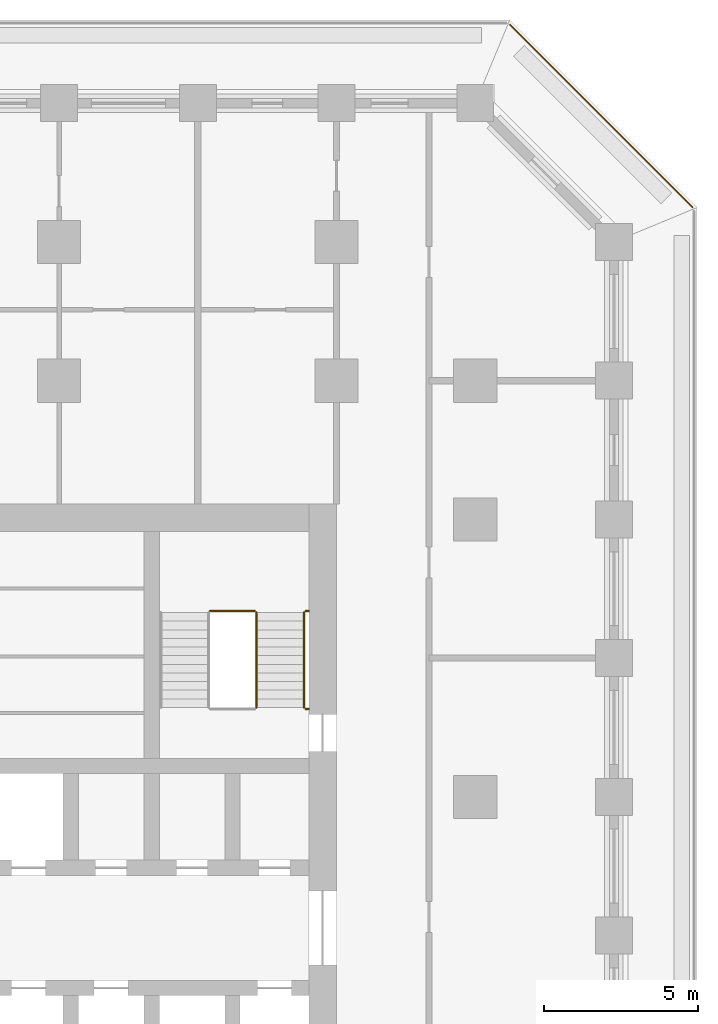
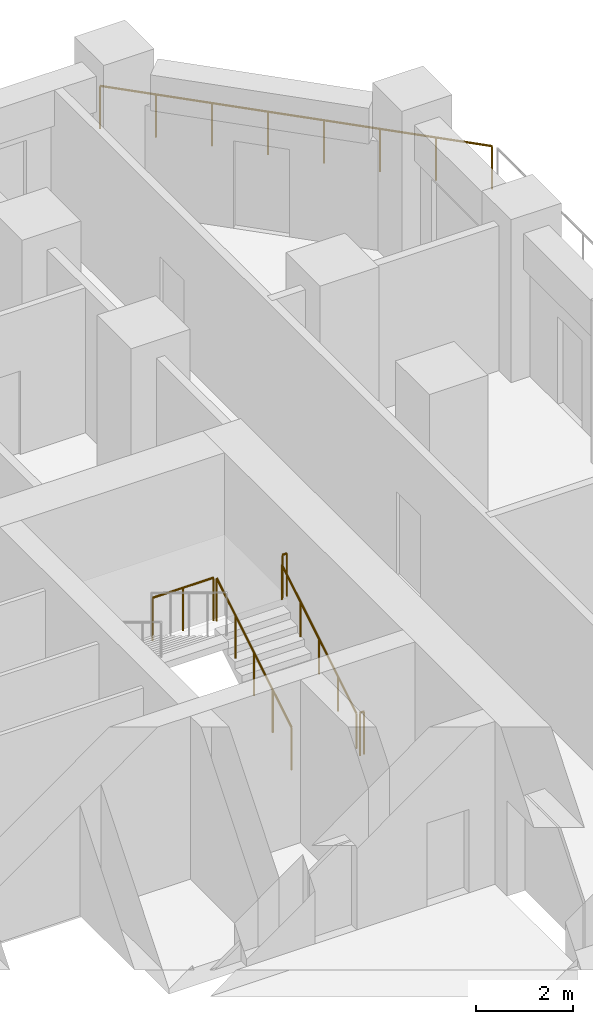
# One storey, part 15 of 16: 6 railings.
"""IFC4 building model written with IfcOpenShell, lengths in metres."""

from ifc_helpers import new_model, si_unit, direction, frame, origin, origin_2d, place, context, subcontext, project, spatial, circle, extrude, material, type_object, element, save


model = new_model("IFC4")

# Units and contexts
model_context = context("Model", 3, precision=1e-05, world=origin(), true_north=direction((0.0, 1.0)))
body_context = subcontext(model_context, "Body", "Model", "MODEL_VIEW")
ifc_project = project(units=[si_unit("LENGTHUNIT", "METRE"), si_unit("AREAUNIT", "SQUARE_METRE"), si_unit("VOLUMEUNIT", "CUBIC_METRE"), si_unit("PLANEANGLEUNIT", "RADIAN"), si_unit("MASSUNIT", "GRAM", prefix="KILO")], contexts=[model_context])

# Site, building, storey
site_placement = place(None, origin())
site = spatial("IfcSite", under=ifc_project, at=site_placement, CompositionType="ELEMENT")
building_placement = place(site_placement, origin())
building = spatial("IfcBuilding", under=site, at=building_placement, Name="Corbel Stack Research Tower", CompositionType="ELEMENT")
storey_placement = place(building_placement, frame((0.0, 0.0, 120.800048828125)))
storey = spatial("IfcBuildingStorey", under=building, at=storey_placement, Name="L27", CompositionType="ELEMENT", Elevation=120.800048828125)

# Railings
ifc_material_1 = material(Name="Steel S355", Category="steel")
railing_type_1 = type_object("IfcRailingType", Name="Stair guard 1100", PredefinedType="GUARDRAIL", material=ifc_material_1)
railing_1_placement = place(storey_placement, frame((15.39990234375, 11.89990234375, 0.1708984375)))
element("IfcRailing", 1, at=railing_1_placement, inside=storey, type_object=railing_type_1, Name="L27 ST-E2 stair guard 1", PredefinedType="GUARDRAIL", context=body_context, shape_type="SweptSolid", body=[
    extrude(circle(Radius=0.02392578125, at=origin_2d()), frame((0.0, 0.0, 1.076171875), z_axis=(0.0, 0.853666305674, 0.52082035152), x_axis=(-1.0, 0.0, 0.0)), (0.0, 0.0, 1.0), 3.608154296875),
    extrude(circle(Radius=0.02099609375, at=origin_2d()), origin(), (0.0, 0.0, 1.0), 1.052001953125),
    extrude(circle(Radius=0.02099609375, at=origin_2d()), frame((0.0, 0.77001953125, 0.4697265625)), (0.0, 0.0, 1.0), 1.052001953125),
    extrude(circle(Radius=0.02099609375, at=origin_2d()), frame((0.0, 1.5400390625, 0.939453125)), (0.0, 0.0, 1.0), 1.052001953125),
    extrude(circle(Radius=0.02099609375, at=origin_2d()), frame((0.0, 2.31005859375, 1.409423828125)), (0.0, 0.0, 1.0), 1.052001953125),
    extrude(circle(Radius=0.02099609375, at=origin_2d()), frame((0.0, 3.080078125, 1.879150390625)), (0.0, 0.0, 1.0), 1.052001953125),
])
railing_2_placement = place(storey_placement, frame((15.35009765625, 15.030029296875, 2.050048828125)))
element("IfcRailing", 2, at=railing_2_placement, inside=storey, type_object=railing_type_1, Name="L27 ST-E2 stair guard 2", PredefinedType="GUARDRAIL", context=body_context, shape_type="SweptSolid", body=[
    extrude(circle(Radius=0.02392578125, at=origin_2d()), frame((0.0, 0.0, 1.076171875), z_axis=(-1.0, 0.0, 0.0), x_axis=(0.0, -1.0, 0.0)), (0.0, 0.0, 1.0), 1.4501953125),
    extrude(circle(Radius=0.02099609375, at=origin_2d()), origin(), (0.0, 0.0, 1.0), 1.052001953125),
    extrude(circle(Radius=0.02099609375, at=origin_2d()), frame((-0.72509765625, 0.0, 0.0)), (0.0, 0.0, 1.0), 1.052001953125),
    extrude(circle(Radius=0.02099609375, at=origin_2d()), frame((-1.4501953125, 0.0, 0.0)), (0.0, 0.0, 1.0), 1.052001953125),
])
for number, where, name in (
    (3, (17.10009765625, 15.030029296875, 2.050048828125), "L27 ST-E2 stair guard 3"),
    (4, (17.10009765625, 11.85009765625, 0.0), "L27 ST-E2 stair guard 6"),
):
    element("IfcRailing", number, at=place(storey_placement, frame(where)), inside=storey, type_object=railing_type_1, Name=name, PredefinedType="GUARDRAIL", context=body_context, shape_type="SweptSolid", body=[
        extrude(circle(Radius=0.02392578125, at=origin_2d()), frame((0.0, 0.0, 1.076171875), z_axis=(-1.0, 0.0, 0.0), x_axis=(0.0, -1.0, 0.0)), (0.0, 0.0, 1.0), 0.10009765625),
        extrude(circle(Radius=0.02099609375, at=origin_2d()), origin(), (0.0, 0.0, 1.0), 1.052001953125),
        extrude(circle(Radius=0.02099609375, at=origin_2d()), frame((-0.10009765625, 0.0, 0.0)), (0.0, 0.0, 1.0), 1.052001953125),
    ])
ifc_material_2 = material(Name="Steel S355", Category="steel")
railing_type_2 = type_object("IfcRailingType", Name="Stair handrail 900", PredefinedType="HANDRAIL", material=ifc_material_2)
railing_3_placement = place(storey_placement, frame((16.949951171875, 11.89990234375, 0.1708984375)))
element("IfcRailing", 5, at=railing_3_placement, inside=storey, type_object=railing_type_2, Name="L27 ST-E2 stair handrail 1", PredefinedType="HANDRAIL", context=body_context, shape_type="SweptSolid", body=[
    extrude(circle(Radius=0.02392578125, at=origin_2d()), frame((0.0, 0.0, 0.8759765625), z_axis=(0.0, 0.853666305674, 0.52082035152), x_axis=(-1.0, 0.0, 0.0)), (0.0, 0.0, 1.0), 3.608154296875),
    extrude(circle(Radius=0.02099609375, at=origin_2d()), origin(), (0.0, 0.0, 1.0), 0.851806640625),
    extrude(circle(Radius=0.02099609375, at=origin_2d()), frame((0.0, 0.77001953125, 0.4697265625)), (0.0, 0.0, 1.0), 0.851806640625),
    extrude(circle(Radius=0.02099609375, at=origin_2d()), frame((0.0, 1.5400390625, 0.939453125)), (0.0, 0.0, 1.0), 0.851806640625),
    extrude(circle(Radius=0.02099609375, at=origin_2d()), frame((0.0, 2.31005859375, 1.409423828125)), (0.0, 0.0, 1.0), 0.851806640625),
    extrude(circle(Radius=0.02099609375, at=origin_2d()), frame((0.0, 3.080078125, 1.879150390625)), (0.0, 0.0, 1.0), 0.851806640625),
])
ifc_material_3 = material(Name="Powder-coated steel guard", Category="steel")
railing_type_3 = type_object("IfcRailingType", Name="Steel and glass guard 1100", PredefinedType="GUARDRAIL", material=ifc_material_3)
railing_4_placement = place(storey_placement, frame((29.54931640625, 28.127685546875, 0.0)))
element("IfcRailing", 6, at=railing_4_placement, inside=storey, type_object=railing_type_3, Name="Loggia guard L27 NE", PredefinedType="GUARDRAIL", context=body_context, shape_type="SweptSolid", body=[
    extrude(circle(Radius=0.02392578125, at=origin_2d()), frame((0.0, 0.0, 1.076171875), z_axis=(-0.707106781187, 0.707106781187, 0.0), x_axis=(-0.707106781187, -0.707106781187, 0.0)), (0.0, 0.0, 1.0), 8.37451171875),
    extrude(circle(Radius=0.02099609375, at=origin_2d()), origin(), (0.0, 0.0, 1.0), 1.052001953125),
    extrude(circle(Radius=0.02099609375, at=origin_2d()), frame((-0.845947265625, 0.845947265625, 0.0)), (0.0, 0.0, 1.0), 1.052001953125),
    extrude(circle(Radius=0.02099609375, at=origin_2d()), frame((-1.69189453125, 1.69189453125, 0.0)), (0.0, 0.0, 1.0), 1.052001953125),
    extrude(circle(Radius=0.02099609375, at=origin_2d()), frame((-2.537841796875, 2.537841796875, 0.0)), (0.0, 0.0, 1.0), 1.052001953125),
    extrude(circle(Radius=0.02099609375, at=origin_2d()), frame((-3.3837890625, 3.3837890625, 0.0)), (0.0, 0.0, 1.0), 1.052001953125),
    extrude(circle(Radius=0.02099609375, at=origin_2d()), frame((-4.229736328125, 4.229736328125, 0.0)), (0.0, 0.0, 1.0), 1.052001953125),
    extrude(circle(Radius=0.02099609375, at=origin_2d()), frame((-5.07568359375, 5.07568359375, 0.0)), (0.0, 0.0, 1.0), 1.052001953125),
    extrude(circle(Radius=0.02099609375, at=origin_2d()), frame((-5.921630859375, 5.921630859375, 0.0)), (0.0, 0.0, 1.0), 1.052001953125),
])

save(model, "model.ifc")
